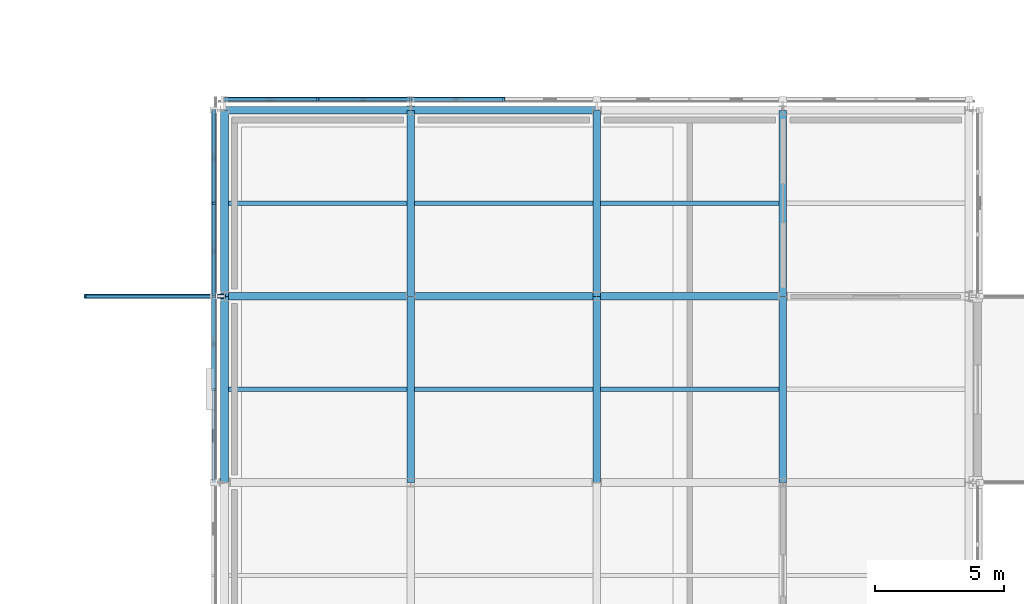
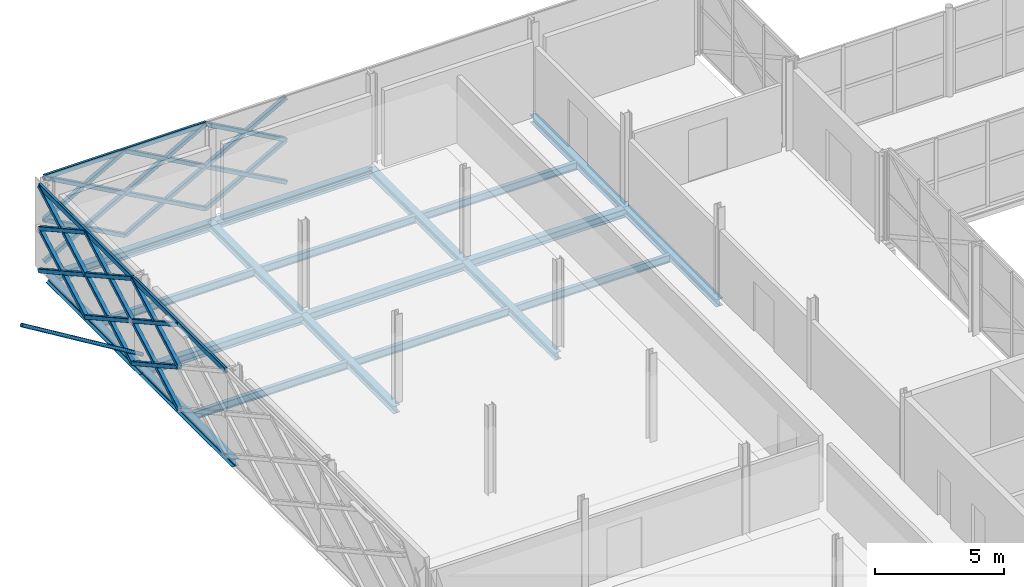
# One storey, part 54 of 146: 40 members, 19 beams.
"""IFC4 building model written with IfcOpenShell, lengths in metres."""

import ifcopenshell
import ifcopenshell.guid

model = None  # the IFC model being written
_history = None  # IfcOwnerHistory: only IFC2X3 demands one
_inside = {}  # id of a spatial element -> (the spatial element, [elements in it])
_under = {}  # id of a project, library or spatial element -> (it, [spatial elements below it])
_declared = {}  # id of a project -> (the project, [libraries it declares])
_typed = {}  # id of a type object -> (the type object, [elements of that type])
_made_of = {}  # id of a material, layer set ... -> (it, [elements and type objects made of it])


def new_model(schema):
    """Start an empty IFC model of exactly this schema.

    Asked for "IFC4X3", IfcOpenShell would pick the latest addendum, in which some entities
    have other attributes; the version numbers below select the first issue.
    IFC2X3 requires an IfcOwnerHistory on every rooted entity: one is made here for all.
    """
    global model, _history
    if schema == "IFC4X3":
        model = ifcopenshell.file(schema_version=(4, 3, 0, 0))
    else:
        model = ifcopenshell.file(schema=schema)
    _inside.clear()
    _under.clear()
    _declared.clear()
    _typed.clear()
    _made_of.clear()
    _history = None
    if model.schema == "IFC2X3":
        org = make("IfcOrganization", Name="unknown")
        user = make(
            "IfcPersonAndOrganization",
            ThePerson=make("IfcPerson", FamilyName="unknown"),
            TheOrganization=org,
        )
        app = make(
            "IfcApplication",
            ApplicationDeveloper=org,
            Version="unknown",
            ApplicationFullName="unknown",
            ApplicationIdentifier="unknown",
        )
        _history = make(
            "IfcOwnerHistory",
            OwningUser=user,
            OwningApplication=app,
            ChangeAction="ADDED",
            CreationDate=0,
        )
    return model


def make(cls, **values):
    """One entity of the class cls with the attributes given. An attribute that is None is left unset."""
    return model.create_entity(
        cls, **{name: value for name, value in values.items() if value is not None}
    )


def rooted(cls, **values):
    """An entity with a GlobalId (a new one), such as an element, a storey or a relation."""
    return make(cls, GlobalId=ifcopenshell.guid.new(), OwnerHistory=_history, **values)


def si_unit(unit_type, name, prefix=None):
    """IfcSIUnit, for example si_unit("LENGTHUNIT", "METRE", prefix="MILLI")."""
    return make("IfcSIUnit", UnitType=unit_type, Prefix=prefix, Name=name)


def assignment(units):
    """IfcUnitAssignment: the units of a project."""
    return None if units is None else make("IfcUnitAssignment", Units=units)


def point(xyz):
    """IfcCartesianPoint."""
    return None if xyz is None else make("IfcCartesianPoint", Coordinates=xyz)


def direction(xyz):
    """IfcDirection."""
    return None if xyz is None else make("IfcDirection", DirectionRatios=xyz)


def frame(location, z_axis=None, x_axis=None):
    """IfcAxis2Placement3D, a coordinate frame: its origin and axes. An axis left out is left unset."""
    return make(
        "IfcAxis2Placement3D",
        Location=point(location),
        Axis=direction(z_axis),
        RefDirection=direction(x_axis),
    )


def frame_2d(location, x_axis=None):
    """IfcAxis2Placement2D, a coordinate frame in the plane: its origin and x axis."""
    return make(
        "IfcAxis2Placement2D", Location=point(location), RefDirection=direction(x_axis)
    )


def origin():
    """The frame at (0, 0, 0) with its axes left unset."""
    return frame((0.0, 0.0, 0.0))


def origin_2d():
    """The frame at (0, 0) in the plane with its x axis left unset."""
    return frame_2d((0.0, 0.0))


def place(relative_to, where):
    """IfcLocalPlacement: puts the frame where relative to a parent placement (None: the world)."""
    return make(
        "IfcLocalPlacement", PlacementRelTo=relative_to, RelativePlacement=where
    )


def context(
    kind, dimensions, precision=None, world=None, true_north=None, identifier=None
):
    """IfcGeometricRepresentationContext, for example the 3D "Model" context."""
    return make(
        "IfcGeometricRepresentationContext",
        ContextIdentifier=identifier,
        ContextType=kind,
        CoordinateSpaceDimension=dimensions,
        Precision=precision,
        WorldCoordinateSystem=world,
        TrueNorth=true_north,
    )


def subcontext(parent, identifier, kind, view, scale=None):
    """IfcGeometricRepresentationSubContext, for example "Body" below "Model"."""
    return make(
        "IfcGeometricRepresentationSubContext",
        ContextIdentifier=identifier,
        ContextType=kind,
        ParentContext=parent,
        TargetScale=scale,
        TargetView=view,
    )


def project(units=None, contexts=None):
    """IfcProject with its units and contexts."""
    return rooted(
        "IfcProject",
        Name="project",
        RepresentationContexts=contexts,
        UnitsInContext=assignment(units),
    )


def spatial(cls, under=None, at=None, **own):
    """A site, building, storey or space (cls), placed at a placement, below another one or the project."""
    s = rooted(cls, ObjectPlacement=at, **own)
    if under is not None:
        _under.setdefault(under.id(), (under, []))[1].append(s)
    return s


def profile(cls, at=None, kind="AREA", **sizes):
    """A parametric profile (cls). Its sizes go by their IFC names, for example OverallWidth=200.0."""
    return make(cls, ProfileType=kind, Position=at, **sizes)


def hollow_rectangle(**sizes):
    """IfcRectangleHollowProfileDef."""
    return profile("IfcRectangleHollowProfileDef", **sizes)


def hollow_circle(**sizes):
    """IfcCircleHollowProfileDef."""
    return profile("IfcCircleHollowProfileDef", **sizes)


def i_section(**sizes):
    """IfcIShapeProfileDef."""
    return profile("IfcIShapeProfileDef", **sizes)


def extrude(swept, where, along, depth):
    """IfcExtrudedAreaSolid: the profile swept, set in the frame where, extruded along a direction by depth."""
    return make(
        "IfcExtrudedAreaSolid",
        SweptArea=swept,
        Position=where,
        ExtrudedDirection=direction(along),
        Depth=depth,
    )


def shape(context_of_items, identifier, shape_type, items):
    """IfcShapeRepresentation: the items that make up one representation, for example the "Body"."""
    return make(
        "IfcShapeRepresentation",
        ContextOfItems=context_of_items,
        RepresentationIdentifier=identifier,
        RepresentationType=shape_type,
        Items=items,
    )


def material(Name=None, Category=None):
    """IfcMaterial."""
    return make("IfcMaterial", Name=Name, Category=Category)


def material_profile(
    of_material, cross_section, Name=None, Category=None, Priority=None
):
    """IfcMaterialProfile: a cross section and its material."""
    return make(
        "IfcMaterialProfile",
        Name=Name,
        Material=of_material,
        Profile=cross_section,
        Priority=Priority,
        Category=Category,
    )


def profile_set(profiles, Name=None, composite=None):
    """IfcMaterialProfileSet."""
    return make(
        "IfcMaterialProfileSet",
        Name=Name,
        MaterialProfiles=profiles,
        CompositeProfile=composite,
    )


def made_of(thing, what):
    """Note that an element or type object is made of a material, layer set ...; save() writes the relation."""
    if what is not None:
        _made_of.setdefault(what.id(), (what, []))[1].append(thing)
    return thing


def type_object(cls, material=None, **own):
    """A type object (cls), such as IfcWallType, which elements share."""
    return made_of(rooted(cls, **own), material)


def element(
    cls,
    number,
    at=None,
    inside=None,
    cuts=None,
    type_object=None,
    material=None,
    context=None,
    identifier="Body",
    shape_type=None,
    held_by="IfcProductDefinitionShape",
    body=None,
    shapes=None,
    **own,
):
    """One element of the class cls, such as IfcWall. Its Tag is "e" and its number.

    at: its placement. inside: the storey or other place that contains it. cuts: it is an
    opening in that element (IfcRelVoidsElement). A single representation is given by context,
    identifier, shape_type and body (its items); several are given by shapes. held_by: the class
    of the entity that holds the representations. save() writes the other relations.
    """
    e = rooted(cls, Tag="e%d" % number, ObjectPlacement=at, **own)
    if body is not None:
        shapes = [shape(context, identifier, shape_type, body)]
    if shapes is not None:
        e.Representation = make(held_by, Representations=shapes)
    if inside is not None:
        _inside.setdefault(inside.id(), (inside, []))[1].append(e)
    if cuts is not None:
        rooted(
            "IfcRelVoidsElement", RelatingBuildingElement=cuts, RelatedOpeningElement=e
        )
    if type_object is not None:
        _typed.setdefault(type_object.id(), (type_object, []))[1].append(e)
    return made_of(e, material)


def aggregate(whole, parts):
    """IfcRelAggregates: a whole, such as a stair, and the parts it consists of."""
    return rooted("IfcRelAggregates", RelatingObject=whole, RelatedObjects=parts)


def save(model, path):
    """Write the relations noted so far, then the file.

    IfcRelAggregates (storeys below a building ...), IfcRelContainedInSpatialStructure (elements
    in a storey), IfcRelDefinesByType, IfcRelAssociatesMaterial and IfcRelDeclares: one each for
    every whole, place, type object, material and project.
    """
    for whole, parts in _under.values():
        aggregate(whole, parts)
    for where, things in _inside.values():
        rooted(
            "IfcRelContainedInSpatialStructure",
            RelatedElements=things,
            RelatingStructure=where,
        )
    for kind, things in _typed.values():
        rooted("IfcRelDefinesByType", RelatedObjects=things, RelatingType=kind)
    for what, things in _made_of.values():
        rooted("IfcRelAssociatesMaterial", RelatedObjects=things, RelatingMaterial=what)
    for by, libraries in _declared.values():
        rooted("IfcRelDeclares", RelatingContext=by, RelatedDefinitions=libraries)
    model.write(path)


model = new_model("IFC4")

# Units and contexts
model_context = context("Model", 3, precision=1e-05, world=origin(), true_north=direction((0.0, 1.0)))
body_context = subcontext(model_context, "Body", "Model", "MODEL_VIEW")
ifc_project = project(units=[si_unit("LENGTHUNIT", "METRE"), si_unit("AREAUNIT", "SQUARE_METRE"), si_unit("VOLUMEUNIT", "CUBIC_METRE"), si_unit("PLANEANGLEUNIT", "RADIAN"), si_unit("MASSUNIT", "GRAM", prefix="KILO")], contexts=[model_context])

# Site, building, storey
site_placement = place(None, origin())
site = spatial("IfcSite", under=ifc_project, at=site_placement, CompositionType="ELEMENT")
building_placement = place(site_placement, origin())
building = spatial("IfcBuilding", under=site, at=building_placement, Name="Zlatovets Crest Museum", CompositionType="ELEMENT")
storey_placement = place(building_placement, frame((0.0, 0.0, 4.5)))
storey = spatial("IfcBuildingStorey", under=building, at=storey_placement, Name="L01", CompositionType="ELEMENT", Elevation=4.5)

# Beams
ifc_material_1 = material(Name="Structural steel S355J2", Category="steel")
ifc_material_profile_1 = material_profile(ifc_material_1, i_section(OverallWidth=0.300048828125, OverallDepth=0.389892578125, WebThickness=0.010986328125, FlangeThickness=0.01904296875, FilletRadius=0.027099609375, at=origin_2d()), Name="HEA 400")
ifc_profile_set_1 = profile_set([ifc_material_profile_1], Name="Structural steel S355J2")
beam_type_1 = type_object("IfcBeamType", Name="Beam_B-02", PredefinedType="BEAM", material=ifc_profile_set_1)
beam_1_placement = place(storey_placement, frame((7.199951171875, 93.60009765625, -0.4150390625), z_axis=(1.0, 0.0, 0.0), x_axis=(0.0, 1.0, 0.0)))
element("IfcBeam", 1, at=beam_1_placement, inside=storey, type_object=beam_type_1, Name="V4 L01 Primary Girder B-02", PredefinedType="BEAM", context=body_context, shape_type="SweptSolid", body=[
    extrude(i_section(OverallWidth=0.300048828125, OverallDepth=0.389892578125, WebThickness=0.010986328125, FlangeThickness=0.01904296875, FilletRadius=0.027099609375, at=origin_2d()), origin(), (0.0, 0.0, 1.0), 7.199951171875),
])
beam_2_placement = place(storey_placement, frame((14.39990234375, 93.60009765625, -0.4150390625), z_axis=(1.0, 0.0, 0.0), x_axis=(0.0, 1.0, 0.0)))
element("IfcBeam", 2, at=beam_2_placement, inside=storey, type_object=beam_type_1, Name="V4 L01 Primary Girder B-02", PredefinedType="BEAM", context=body_context, shape_type="SweptSolid", body=[
    extrude(i_section(OverallWidth=0.300048828125, OverallDepth=0.389892578125, WebThickness=0.010986328125, FlangeThickness=0.01904296875, FilletRadius=0.027099609375, at=origin_2d()), origin(), (0.0, 0.0, 1.0), 7.2001953125),
])
for number, where, z_axis, x_axis, name in (
    (3, (21.60009765625, 93.60009765625, -0.4150390625), (1.0, 0.0, 0.0), (0.0, 1.0, 0.0), "V4 L01 Primary Girder B-02"),
    (4, (7.199951171875, 100.800048828125, -0.4150390625), (1.0, 0.0, 0.0), (0.0, 1.0, 0.0), "V4 L01 Primary Girder B-02"),
):
    element("IfcBeam", number, at=place(storey_placement, frame(where, z_axis=z_axis, x_axis=x_axis)), inside=storey, type_object=beam_type_1, Name=name, PredefinedType="BEAM", context=body_context, shape_type="SweptSolid", body=[
        extrude(i_section(OverallWidth=0.300048828125, OverallDepth=0.389892578125, WebThickness=0.010986328125, FlangeThickness=0.01904296875, FilletRadius=0.027099609375, at=origin_2d()), origin(), (0.0, 0.0, 1.0), 7.199951171875),
    ])
beam_3_placement = place(storey_placement, frame((14.39990234375, 100.800048828125, -0.4150390625), z_axis=(1.0, 0.0, 0.0), x_axis=(0.0, 1.0, 0.0)))
element("IfcBeam", 5, at=beam_3_placement, inside=storey, type_object=beam_type_1, Name="V4 L01 Primary Girder B-02", PredefinedType="BEAM", context=body_context, shape_type="SweptSolid", body=[
    extrude(i_section(OverallWidth=0.300048828125, OverallDepth=0.389892578125, WebThickness=0.010986328125, FlangeThickness=0.01904296875, FilletRadius=0.027099609375, at=origin_2d()), origin(), (0.0, 0.0, 1.0), 7.2001953125),
])
ifc_material_profile_2 = material_profile(ifc_material_1, i_section(OverallWidth=0.300048828125, OverallDepth=0.35009765625, WebThickness=0.010009765625, FlangeThickness=0.017578125, FilletRadius=0.027099609375, at=origin_2d()), Name="HEA 360")
ifc_profile_set_2 = profile_set([ifc_material_profile_2], Name="Structural steel S355J2")
beam_type_2 = type_object("IfcBeamType", Name="Beam_B-03", PredefinedType="BEAM", material=ifc_profile_set_2)
beam_4_placement = place(storey_placement, frame((7.199951171875, 86.39990234375, -0.39501953125), z_axis=(0.0, 1.0, 0.0), x_axis=(-1.0, 0.0, 0.0)))
element("IfcBeam", 6, at=beam_4_placement, inside=storey, type_object=beam_type_2, Name="V4 L01 Grid Beam B-03", PredefinedType="BEAM", context=body_context, shape_type="SweptSolid", body=[
    extrude(i_section(OverallWidth=0.300048828125, OverallDepth=0.35009765625, WebThickness=0.010009765625, FlangeThickness=0.017578125, FilletRadius=0.027099609375, at=origin_2d()), origin(), (0.0, 0.0, 1.0), 7.2001953125),
])
beam_5_placement = place(storey_placement, frame((7.199951171875, 93.60009765625, -0.39501953125), z_axis=(0.0, 1.0, 0.0), x_axis=(-1.0, 0.0, 0.0)))
element("IfcBeam", 7, at=beam_5_placement, inside=storey, type_object=beam_type_2, Name="V4 L01 Grid Beam B-03", PredefinedType="BEAM", context=body_context, shape_type="SweptSolid", body=[
    extrude(i_section(OverallWidth=0.300048828125, OverallDepth=0.35009765625, WebThickness=0.010009765625, FlangeThickness=0.017578125, FilletRadius=0.027099609375, at=origin_2d()), origin(), (0.0, 0.0, 1.0), 7.199951171875),
])
beam_6_placement = place(storey_placement, frame((14.39990234375, 86.39990234375, -0.39501953125), z_axis=(0.0, 1.0, 0.0), x_axis=(-1.0, 0.0, 0.0)))
element("IfcBeam", 8, at=beam_6_placement, inside=storey, type_object=beam_type_2, Name="V4 L01 Grid Beam B-03", PredefinedType="BEAM", context=body_context, shape_type="SweptSolid", body=[
    extrude(i_section(OverallWidth=0.300048828125, OverallDepth=0.35009765625, WebThickness=0.010009765625, FlangeThickness=0.017578125, FilletRadius=0.027099609375, at=origin_2d()), origin(), (0.0, 0.0, 1.0), 7.2001953125),
])
beam_7_placement = place(storey_placement, frame((14.39990234375, 93.60009765625, -0.39501953125), z_axis=(0.0, 1.0, 0.0), x_axis=(-1.0, 0.0, 0.0)))
element("IfcBeam", 9, at=beam_7_placement, inside=storey, type_object=beam_type_2, Name="V4 L01 Grid Beam B-03", PredefinedType="BEAM", context=body_context, shape_type="SweptSolid", body=[
    extrude(i_section(OverallWidth=0.300048828125, OverallDepth=0.35009765625, WebThickness=0.010009765625, FlangeThickness=0.017578125, FilletRadius=0.027099609375, at=origin_2d()), origin(), (0.0, 0.0, 1.0), 7.199951171875),
])
beam_8_placement = place(storey_placement, frame((21.60009765625, 86.39990234375, -0.39501953125), z_axis=(0.0, 1.0, 0.0), x_axis=(-1.0, 0.0, 0.0)))
element("IfcBeam", 10, at=beam_8_placement, inside=storey, type_object=beam_type_2, Name="V4 L01 Grid Beam B-03", PredefinedType="BEAM", context=body_context, shape_type="SweptSolid", body=[
    extrude(i_section(OverallWidth=0.300048828125, OverallDepth=0.35009765625, WebThickness=0.010009765625, FlangeThickness=0.017578125, FilletRadius=0.027099609375, at=origin_2d()), origin(), (0.0, 0.0, 1.0), 7.2001953125),
])
beam_9_placement = place(storey_placement, frame((21.60009765625, 93.60009765625, -0.39501953125), z_axis=(0.0, 1.0, 0.0), x_axis=(-1.0, 0.0, 0.0)))
element("IfcBeam", 11, at=beam_9_placement, inside=storey, type_object=beam_type_2, Name="V4 L01 Grid Beam B-03", PredefinedType="BEAM", context=body_context, shape_type="SweptSolid", body=[
    extrude(i_section(OverallWidth=0.300048828125, OverallDepth=0.35009765625, WebThickness=0.010009765625, FlangeThickness=0.017578125, FilletRadius=0.027099609375, at=origin_2d()), origin(), (0.0, 0.0, 1.0), 7.199951171875),
])
beam_10_placement = place(storey_placement, frame((28.800048828125, 86.39990234375, -0.39501953125), z_axis=(0.0, 1.0, 0.0), x_axis=(-1.0, 0.0, 0.0)))
element("IfcBeam", 12, at=beam_10_placement, inside=storey, type_object=beam_type_2, Name="V4 L01 Grid Beam B-03", PredefinedType="BEAM", context=body_context, shape_type="SweptSolid", body=[
    extrude(i_section(OverallWidth=0.300048828125, OverallDepth=0.35009765625, WebThickness=0.010009765625, FlangeThickness=0.017578125, FilletRadius=0.027099609375, at=origin_2d()), origin(), (0.0, 0.0, 1.0), 7.2001953125),
])
beam_11_placement = place(storey_placement, frame((28.800048828125, 93.60009765625, -0.39501953125), z_axis=(0.0, 1.0, 0.0), x_axis=(-1.0, 0.0, 0.0)))
element("IfcBeam", 13, at=beam_11_placement, inside=storey, type_object=beam_type_2, Name="V4 L01 Grid Beam B-03", PredefinedType="BEAM", context=body_context, shape_type="SweptSolid", body=[
    extrude(i_section(OverallWidth=0.300048828125, OverallDepth=0.35009765625, WebThickness=0.010009765625, FlangeThickness=0.017578125, FilletRadius=0.027099609375, at=origin_2d()), origin(), (0.0, 0.0, 1.0), 7.199951171875),
])
ifc_material_profile_3 = material_profile(ifc_material_1, i_section(OverallWidth=0.169921875, OverallDepth=0.360107421875, WebThickness=0.008056640625, FlangeThickness=0.0126953125, FilletRadius=0.01806640625, at=origin_2d()), Name="IPE 360")
ifc_profile_set_3 = profile_set([ifc_material_profile_3], Name="Structural steel S355J2")
beam_type_3 = type_object("IfcBeamType", Name="Beam_J-01", PredefinedType="JOIST", material=ifc_profile_set_3)
for number, where, z_axis, x_axis, name in (
    (14, (7.35009765625, 90.0, -0.39990234375), (1.0, 0.0, 0.0), (0.0, 1.0, 0.0), "V4 L01 Composite Joist J-01"),
    (15, (7.35009765625, 97.199951171875, -0.39990234375), (1.0, 0.0, 0.0), (0.0, 1.0, 0.0), "V4 L01 Composite Joist J-01"),
    (16, (14.550048828125, 90.0, -0.39990234375), (1.0, 0.0, 0.0), (0.0, 1.0, 0.0), "V4 L01 Composite Joist J-01"),
    (17, (14.550048828125, 97.199951171875, -0.39990234375), (1.0, 0.0, 0.0), (0.0, 1.0, 0.0), "V4 L01 Composite Joist J-01"),
    (18, (21.75, 90.0, -0.39990234375), (1.0, 0.0, 0.0), (0.0, 1.0, 0.0), "V4 L01 Composite Joist J-01"),
    (19, (21.75, 97.199951171875, -0.39990234375), (1.0, 0.0, 0.0), (0.0, 1.0, 0.0), "V4 L01 Composite Joist J-01"),
):
    element("IfcBeam", number, at=place(storey_placement, frame(where, z_axis=z_axis, x_axis=x_axis)), inside=storey, type_object=beam_type_3, Name=name, PredefinedType="JOIST", context=body_context, shape_type="SweptSolid", body=[
        extrude(i_section(OverallWidth=0.169921875, OverallDepth=0.360107421875, WebThickness=0.008056640625, FlangeThickness=0.0126953125, FilletRadius=0.01806640625, at=origin_2d()), origin(), (0.0, 0.0, 1.0), 6.89990234375),
    ])

# Members
ifc_material_2 = material(Name="Weathering bronze-steel S355J2W", Category="steel")
ifc_material_profile_4 = material_profile(ifc_material_2, hollow_rectangle(XDim=0.179931640625, YDim=0.179931640625, WallThickness=0.010009765625, InnerFilletRadius=0.010009765625, OuterFilletRadius=0.02001953125, at=origin_2d()), Name="SHS 180x180x10.0")
ifc_profile_set_4 = profile_set([ifc_material_profile_4], Name="Weathering bronze-steel S355J2W")
member_type_1 = type_object("IfcMemberType", Name="Lattice_XL-01", PredefinedType="BRACE", material=ifc_profile_set_4)
member_1_placement = place(storey_placement, frame((18.0, 101.219970703125, 0.10009765625), z_axis=(-0.874162868644, 0.0, 0.485632864501), x_axis=(0.0, -1.0, 0.0)))
element("IfcMember", 20, at=member_1_placement, inside=storey, type_object=member_type_1, Name="Continuous Bronze Lattice Diagonal", PredefinedType="BRACE", context=body_context, shape_type="SweptSolid", body=[
    extrude(hollow_rectangle(XDim=0.179931640625, YDim=0.179931640625, WallThickness=0.010009765625, InnerFilletRadius=0.010009765625, OuterFilletRadius=0.02001953125, at=origin_2d()), origin(), (0.0, 0.0, 1.0), 4.118408203125),
])
member_2_placement = place(storey_placement, frame((18.0, 101.219970703125, 2.10009765625), z_axis=(-0.874116234569, 0.0, -0.48571679862), x_axis=(0.0, -1.0, 0.0)))
element("IfcMember", 21, at=member_2_placement, inside=storey, type_object=member_type_1, Name="Split Crossing Bronze Lattice Diagonal Upper", PredefinedType="BRACE", context=body_context, shape_type="SweptSolid", body=[
    extrude(hollow_rectangle(XDim=0.179931640625, YDim=0.179931640625, WallThickness=0.010009765625, InnerFilletRadius=0.010009765625, OuterFilletRadius=0.02001953125, at=origin_2d()), origin(), (0.0, 0.0, 1.0), 1.96435546875),
])
member_3_placement = place(storey_placement, frame((16.116943359375, 101.219970703125, 1.053955078125), z_axis=(-0.874169001841, 0.0, -0.485621824284), x_axis=(0.0, -1.0, 0.0)))
element("IfcMember", 22, at=member_3_placement, inside=storey, type_object=member_type_1, Name="Split Crossing Bronze Lattice Diagonal Lower", PredefinedType="BRACE", context=body_context, shape_type="SweptSolid", body=[
    extrude(hollow_rectangle(XDim=0.179931640625, YDim=0.179931640625, WallThickness=0.010009765625, InnerFilletRadius=0.010009765625, OuterFilletRadius=0.02001953125, at=origin_2d()), origin(), (0.0, 0.0, 1.0), 1.964111328125),
])
member_4_placement = place(storey_placement, frame((18.0, 101.219970703125, 2.10009765625), z_axis=(-0.874162868644, 0.0, 0.485632864501), x_axis=(0.0, -1.0, 0.0)))
element("IfcMember", 23, at=member_4_placement, inside=storey, type_object=member_type_1, Name="Continuous Bronze Lattice Diagonal", PredefinedType="BRACE", context=body_context, shape_type="SweptSolid", body=[
    extrude(hollow_rectangle(XDim=0.179931640625, YDim=0.179931640625, WallThickness=0.010009765625, InnerFilletRadius=0.010009765625, OuterFilletRadius=0.02001953125, at=origin_2d()), origin(), (0.0, 0.0, 1.0), 4.118408203125),
])
member_5_placement = place(storey_placement, frame((18.0, 101.219970703125, 4.10009765625), z_axis=(-0.874116234569, 0.0, -0.48571679862), x_axis=(0.0, -1.0, 0.0)))
element("IfcMember", 24, at=member_5_placement, inside=storey, type_object=member_type_1, Name="Split Crossing Bronze Lattice Diagonal Upper", PredefinedType="BRACE", context=body_context, shape_type="SweptSolid", body=[
    extrude(hollow_rectangle(XDim=0.179931640625, YDim=0.179931640625, WallThickness=0.010009765625, InnerFilletRadius=0.010009765625, OuterFilletRadius=0.02001953125, at=origin_2d()), origin(), (0.0, 0.0, 1.0), 1.96435546875),
])
member_6_placement = place(storey_placement, frame((16.116943359375, 101.219970703125, 3.053955078125), z_axis=(-0.874169001841, 0.0, -0.485621824284), x_axis=(0.0, -1.0, 0.0)))
element("IfcMember", 25, at=member_6_placement, inside=storey, type_object=member_type_1, Name="Split Crossing Bronze Lattice Diagonal Lower", PredefinedType="BRACE", context=body_context, shape_type="SweptSolid", body=[
    extrude(hollow_rectangle(XDim=0.179931640625, YDim=0.179931640625, WallThickness=0.010009765625, InnerFilletRadius=0.010009765625, OuterFilletRadius=0.02001953125, at=origin_2d()), origin(), (0.0, 0.0, 1.0), 1.964111328125),
])
member_7_placement = place(storey_placement, frame((14.39990234375, 101.219970703125, 0.10009765625), z_axis=(-0.874148886685, 0.0, 0.485658031857), x_axis=(0.0, -1.0, 0.0)))
element("IfcMember", 26, at=member_7_placement, inside=storey, type_object=member_type_1, Name="Continuous Bronze Lattice Diagonal", PredefinedType="BRACE", context=body_context, shape_type="SweptSolid", body=[
    extrude(hollow_rectangle(XDim=0.179931640625, YDim=0.179931640625, WallThickness=0.010009765625, InnerFilletRadius=0.010009765625, OuterFilletRadius=0.02001953125, at=origin_2d()), origin(), (0.0, 0.0, 1.0), 4.1181640625),
])
for number, where, z_axis, x_axis, name in (
    (27, (14.39990234375, 101.219970703125, 2.10009765625), (-0.874086907708, 0.0, -0.485769572713), (0.0, -1.0, 0.0), "Split Crossing Bronze Lattice Diagonal Upper"),
    (28, (12.51708984375, 101.219970703125, 1.053955078125), (-0.874169001841, 0.0, -0.485621824284), (0.0, -1.0, 0.0), "Split Crossing Bronze Lattice Diagonal Lower"),
):
    element("IfcMember", number, at=place(storey_placement, frame(where, z_axis=z_axis, x_axis=x_axis)), inside=storey, type_object=member_type_1, Name=name, PredefinedType="BRACE", context=body_context, shape_type="SweptSolid", body=[
        extrude(hollow_rectangle(XDim=0.179931640625, YDim=0.179931640625, WallThickness=0.010009765625, InnerFilletRadius=0.010009765625, OuterFilletRadius=0.02001953125, at=origin_2d()), origin(), (0.0, 0.0, 1.0), 1.964111328125),
    ])
member_8_placement = place(storey_placement, frame((10.800048828125, 101.219970703125, 0.10009765625), z_axis=(-0.874162868644, 0.0, 0.485632864501), x_axis=(0.0, -1.0, 0.0)))
element("IfcMember", 29, at=member_8_placement, inside=storey, type_object=member_type_1, Name="Continuous Bronze Lattice Diagonal", PredefinedType="BRACE", context=body_context, shape_type="SweptSolid", body=[
    extrude(hollow_rectangle(XDim=0.179931640625, YDim=0.179931640625, WallThickness=0.010009765625, InnerFilletRadius=0.010009765625, OuterFilletRadius=0.02001953125, at=origin_2d()), origin(), (0.0, 0.0, 1.0), 4.118408203125),
])
member_9_placement = place(storey_placement, frame((10.800048828125, 101.219970703125, 2.10009765625), z_axis=(-0.874116234569, 0.0, -0.48571679862), x_axis=(0.0, -1.0, 0.0)))
element("IfcMember", 30, at=member_9_placement, inside=storey, type_object=member_type_1, Name="Split Crossing Bronze Lattice Diagonal Upper", PredefinedType="BRACE", context=body_context, shape_type="SweptSolid", body=[
    extrude(hollow_rectangle(XDim=0.179931640625, YDim=0.179931640625, WallThickness=0.010009765625, InnerFilletRadius=0.010009765625, OuterFilletRadius=0.02001953125, at=origin_2d()), origin(), (0.0, 0.0, 1.0), 1.96435546875),
])
member_10_placement = place(storey_placement, frame((8.9169921875, 101.219970703125, 1.053955078125), z_axis=(-0.874169001841, 0.0, -0.485621824284), x_axis=(0.0, -1.0, 0.0)))
element("IfcMember", 31, at=member_10_placement, inside=storey, type_object=member_type_1, Name="Split Crossing Bronze Lattice Diagonal Lower", PredefinedType="BRACE", context=body_context, shape_type="SweptSolid", body=[
    extrude(hollow_rectangle(XDim=0.179931640625, YDim=0.179931640625, WallThickness=0.010009765625, InnerFilletRadius=0.010009765625, OuterFilletRadius=0.02001953125, at=origin_2d()), origin(), (0.0, 0.0, 1.0), 1.964111328125),
])
member_11_placement = place(storey_placement, frame((14.39990234375, 101.219970703125, 2.10009765625), z_axis=(-0.874148886685, 0.0, 0.485658031857), x_axis=(0.0, -1.0, 0.0)))
element("IfcMember", 32, at=member_11_placement, inside=storey, type_object=member_type_1, Name="Continuous Bronze Lattice Diagonal", PredefinedType="BRACE", context=body_context, shape_type="SweptSolid", body=[
    extrude(hollow_rectangle(XDim=0.179931640625, YDim=0.179931640625, WallThickness=0.010009765625, InnerFilletRadius=0.010009765625, OuterFilletRadius=0.02001953125, at=origin_2d()), origin(), (0.0, 0.0, 1.0), 4.1181640625),
])
for number, where, z_axis, x_axis, name in (
    (33, (14.39990234375, 101.219970703125, 4.10009765625), (-0.874086907708, 0.0, -0.485769572713), (0.0, -1.0, 0.0), "Split Crossing Bronze Lattice Diagonal Upper"),
    (34, (12.51708984375, 101.219970703125, 3.053955078125), (-0.874169001841, 0.0, -0.485621824284), (0.0, -1.0, 0.0), "Split Crossing Bronze Lattice Diagonal Lower"),
):
    element("IfcMember", number, at=place(storey_placement, frame(where, z_axis=z_axis, x_axis=x_axis)), inside=storey, type_object=member_type_1, Name=name, PredefinedType="BRACE", context=body_context, shape_type="SweptSolid", body=[
        extrude(hollow_rectangle(XDim=0.179931640625, YDim=0.179931640625, WallThickness=0.010009765625, InnerFilletRadius=0.010009765625, OuterFilletRadius=0.02001953125, at=origin_2d()), origin(), (0.0, 0.0, 1.0), 1.964111328125),
    ])
member_12_placement = place(storey_placement, frame((10.800048828125, 101.219970703125, 2.10009765625), z_axis=(-0.874162868644, 0.0, 0.485632864501), x_axis=(0.0, -1.0, 0.0)))
element("IfcMember", 35, at=member_12_placement, inside=storey, type_object=member_type_1, Name="Continuous Bronze Lattice Diagonal", PredefinedType="BRACE", context=body_context, shape_type="SweptSolid", body=[
    extrude(hollow_rectangle(XDim=0.179931640625, YDim=0.179931640625, WallThickness=0.010009765625, InnerFilletRadius=0.010009765625, OuterFilletRadius=0.02001953125, at=origin_2d()), origin(), (0.0, 0.0, 1.0), 4.118408203125),
])
member_13_placement = place(storey_placement, frame((10.800048828125, 101.219970703125, 4.10009765625), z_axis=(-0.874116234569, 0.0, -0.48571679862), x_axis=(0.0, -1.0, 0.0)))
element("IfcMember", 36, at=member_13_placement, inside=storey, type_object=member_type_1, Name="Split Crossing Bronze Lattice Diagonal Upper", PredefinedType="BRACE", context=body_context, shape_type="SweptSolid", body=[
    extrude(hollow_rectangle(XDim=0.179931640625, YDim=0.179931640625, WallThickness=0.010009765625, InnerFilletRadius=0.010009765625, OuterFilletRadius=0.02001953125, at=origin_2d()), origin(), (0.0, 0.0, 1.0), 1.96435546875),
])
member_14_placement = place(storey_placement, frame((8.9169921875, 101.219970703125, 3.053955078125), z_axis=(-0.874169001841, 0.0, -0.485621824284), x_axis=(0.0, -1.0, 0.0)))
element("IfcMember", 37, at=member_14_placement, inside=storey, type_object=member_type_1, Name="Split Crossing Bronze Lattice Diagonal Lower", PredefinedType="BRACE", context=body_context, shape_type="SweptSolid", body=[
    extrude(hollow_rectangle(XDim=0.179931640625, YDim=0.179931640625, WallThickness=0.010009765625, InnerFilletRadius=0.010009765625, OuterFilletRadius=0.02001953125, at=origin_2d()), origin(), (0.0, 0.0, 1.0), 1.964111328125),
])
member_15_placement = place(storey_placement, frame((6.780029296875, 100.800048828125, 0.10009765625), z_axis=(0.0, -0.874162868644, 0.485632864501), x_axis=(1.0, 0.0, 0.0)))
element("IfcMember", 38, at=member_15_placement, inside=storey, type_object=member_type_1, Name="Continuous Bronze Lattice Diagonal", PredefinedType="BRACE", context=body_context, shape_type="SweptSolid", body=[
    extrude(hollow_rectangle(XDim=0.179931640625, YDim=0.179931640625, WallThickness=0.010009765625, InnerFilletRadius=0.010009765625, OuterFilletRadius=0.02001953125, at=origin_2d()), origin(), (0.0, 0.0, 1.0), 4.118408203125),
])
member_16_placement = place(storey_placement, frame((6.780029296875, 100.800048828125, 2.10009765625), z_axis=(0.0, -0.874116234569, -0.48571679862), x_axis=(1.0, 0.0, 0.0)))
element("IfcMember", 39, at=member_16_placement, inside=storey, type_object=member_type_1, Name="Split Crossing Bronze Lattice Diagonal Upper", PredefinedType="BRACE", context=body_context, shape_type="SweptSolid", body=[
    extrude(hollow_rectangle(XDim=0.179931640625, YDim=0.179931640625, WallThickness=0.010009765625, InnerFilletRadius=0.010009765625, OuterFilletRadius=0.02001953125, at=origin_2d()), origin(), (0.0, 0.0, 1.0), 1.96435546875),
])
member_17_placement = place(storey_placement, frame((6.780029296875, 98.9169921875, 1.053955078125), z_axis=(0.0, -0.874169001841, -0.485621824284), x_axis=(1.0, 0.0, 0.0)))
element("IfcMember", 40, at=member_17_placement, inside=storey, type_object=member_type_1, Name="Split Crossing Bronze Lattice Diagonal Lower", PredefinedType="BRACE", context=body_context, shape_type="SweptSolid", body=[
    extrude(hollow_rectangle(XDim=0.179931640625, YDim=0.179931640625, WallThickness=0.010009765625, InnerFilletRadius=0.010009765625, OuterFilletRadius=0.02001953125, at=origin_2d()), origin(), (0.0, 0.0, 1.0), 1.964111328125),
])
member_18_placement = place(storey_placement, frame((6.780029296875, 97.199951171875, 0.10009765625), z_axis=(0.0, -0.874148886685, 0.485658031857), x_axis=(1.0, 0.0, 0.0)))
element("IfcMember", 41, at=member_18_placement, inside=storey, type_object=member_type_1, Name="Continuous Bronze Lattice Diagonal", PredefinedType="BRACE", context=body_context, shape_type="SweptSolid", body=[
    extrude(hollow_rectangle(XDim=0.179931640625, YDim=0.179931640625, WallThickness=0.010009765625, InnerFilletRadius=0.010009765625, OuterFilletRadius=0.02001953125, at=origin_2d()), origin(), (0.0, 0.0, 1.0), 4.1181640625),
])
member_19_placement = place(storey_placement, frame((6.780029296875, 97.199951171875, 2.10009765625), z_axis=(0.0, -0.874116234569, -0.48571679862), x_axis=(1.0, 0.0, 0.0)))
element("IfcMember", 42, at=member_19_placement, inside=storey, type_object=member_type_1, Name="Split Crossing Bronze Lattice Diagonal Upper", PredefinedType="BRACE", context=body_context, shape_type="SweptSolid", body=[
    extrude(hollow_rectangle(XDim=0.179931640625, YDim=0.179931640625, WallThickness=0.010009765625, InnerFilletRadius=0.010009765625, OuterFilletRadius=0.02001953125, at=origin_2d()), origin(), (0.0, 0.0, 1.0), 1.96435546875),
])
member_20_placement = place(storey_placement, frame((6.780029296875, 95.31689453125, 1.053955078125), z_axis=(0.0, -0.874139684676, -0.48567459443), x_axis=(1.0, 0.0, 0.0)))
element("IfcMember", 43, at=member_20_placement, inside=storey, type_object=member_type_1, Name="Split Crossing Bronze Lattice Diagonal Lower", PredefinedType="BRACE", context=body_context, shape_type="SweptSolid", body=[
    extrude(hollow_rectangle(XDim=0.179931640625, YDim=0.179931640625, WallThickness=0.010009765625, InnerFilletRadius=0.010009765625, OuterFilletRadius=0.02001953125, at=origin_2d()), origin(), (0.0, 0.0, 1.0), 1.9638671875),
])
member_21_placement = place(storey_placement, frame((6.780029296875, 100.800048828125, 2.10009765625), z_axis=(0.0, -0.874162868644, 0.485632864501), x_axis=(1.0, 0.0, 0.0)))
element("IfcMember", 44, at=member_21_placement, inside=storey, type_object=member_type_1, Name="Continuous Bronze Lattice Diagonal", PredefinedType="BRACE", context=body_context, shape_type="SweptSolid", body=[
    extrude(hollow_rectangle(XDim=0.179931640625, YDim=0.179931640625, WallThickness=0.010009765625, InnerFilletRadius=0.010009765625, OuterFilletRadius=0.02001953125, at=origin_2d()), origin(), (0.0, 0.0, 1.0), 4.118408203125),
])
member_22_placement = place(storey_placement, frame((6.780029296875, 100.800048828125, 4.10009765625), z_axis=(0.0, -0.874116234569, -0.48571679862), x_axis=(1.0, 0.0, 0.0)))
element("IfcMember", 45, at=member_22_placement, inside=storey, type_object=member_type_1, Name="Split Crossing Bronze Lattice Diagonal Upper", PredefinedType="BRACE", context=body_context, shape_type="SweptSolid", body=[
    extrude(hollow_rectangle(XDim=0.179931640625, YDim=0.179931640625, WallThickness=0.010009765625, InnerFilletRadius=0.010009765625, OuterFilletRadius=0.02001953125, at=origin_2d()), origin(), (0.0, 0.0, 1.0), 1.96435546875),
])
member_23_placement = place(storey_placement, frame((6.780029296875, 98.9169921875, 3.053955078125), z_axis=(0.0, -0.874169001841, -0.485621824284), x_axis=(1.0, 0.0, 0.0)))
element("IfcMember", 46, at=member_23_placement, inside=storey, type_object=member_type_1, Name="Split Crossing Bronze Lattice Diagonal Lower", PredefinedType="BRACE", context=body_context, shape_type="SweptSolid", body=[
    extrude(hollow_rectangle(XDim=0.179931640625, YDim=0.179931640625, WallThickness=0.010009765625, InnerFilletRadius=0.010009765625, OuterFilletRadius=0.02001953125, at=origin_2d()), origin(), (0.0, 0.0, 1.0), 1.964111328125),
])
member_24_placement = place(storey_placement, frame((6.780029296875, 97.199951171875, 2.10009765625), z_axis=(0.0, -0.874148886685, 0.485658031857), x_axis=(1.0, 0.0, 0.0)))
element("IfcMember", 47, at=member_24_placement, inside=storey, type_object=member_type_1, Name="Continuous Bronze Lattice Diagonal", PredefinedType="BRACE", context=body_context, shape_type="SweptSolid", body=[
    extrude(hollow_rectangle(XDim=0.179931640625, YDim=0.179931640625, WallThickness=0.010009765625, InnerFilletRadius=0.010009765625, OuterFilletRadius=0.02001953125, at=origin_2d()), origin(), (0.0, 0.0, 1.0), 4.1181640625),
])
member_25_placement = place(storey_placement, frame((6.780029296875, 97.199951171875, 4.10009765625), z_axis=(0.0, -0.874116234569, -0.48571679862), x_axis=(1.0, 0.0, 0.0)))
element("IfcMember", 48, at=member_25_placement, inside=storey, type_object=member_type_1, Name="Split Crossing Bronze Lattice Diagonal Upper", PredefinedType="BRACE", context=body_context, shape_type="SweptSolid", body=[
    extrude(hollow_rectangle(XDim=0.179931640625, YDim=0.179931640625, WallThickness=0.010009765625, InnerFilletRadius=0.010009765625, OuterFilletRadius=0.02001953125, at=origin_2d()), origin(), (0.0, 0.0, 1.0), 1.96435546875),
])
member_26_placement = place(storey_placement, frame((6.780029296875, 95.31689453125, 3.053955078125), z_axis=(0.0, -0.874139684676, -0.48567459443), x_axis=(1.0, 0.0, 0.0)))
element("IfcMember", 49, at=member_26_placement, inside=storey, type_object=member_type_1, Name="Split Crossing Bronze Lattice Diagonal Lower", PredefinedType="BRACE", context=body_context, shape_type="SweptSolid", body=[
    extrude(hollow_rectangle(XDim=0.179931640625, YDim=0.179931640625, WallThickness=0.010009765625, InnerFilletRadius=0.010009765625, OuterFilletRadius=0.02001953125, at=origin_2d()), origin(), (0.0, 0.0, 1.0), 1.9638671875),
])
member_27_placement = place(storey_placement, frame((6.780029296875, 93.60009765625, 0.10009765625), z_axis=(0.0, -0.874162868644, 0.485632864501), x_axis=(1.0, 0.0, 0.0)))
element("IfcMember", 50, at=member_27_placement, inside=storey, type_object=member_type_1, Name="Continuous Bronze Lattice Diagonal", PredefinedType="BRACE", context=body_context, shape_type="SweptSolid", body=[
    extrude(hollow_rectangle(XDim=0.179931640625, YDim=0.179931640625, WallThickness=0.010009765625, InnerFilletRadius=0.010009765625, OuterFilletRadius=0.02001953125, at=origin_2d()), origin(), (0.0, 0.0, 1.0), 4.118408203125),
])
member_28_placement = place(storey_placement, frame((6.780029296875, 93.60009765625, 2.10009765625), z_axis=(0.0, -0.874116234569, -0.48571679862), x_axis=(1.0, 0.0, 0.0)))
element("IfcMember", 51, at=member_28_placement, inside=storey, type_object=member_type_1, Name="Split Crossing Bronze Lattice Diagonal Upper", PredefinedType="BRACE", context=body_context, shape_type="SweptSolid", body=[
    extrude(hollow_rectangle(XDim=0.179931640625, YDim=0.179931640625, WallThickness=0.010009765625, InnerFilletRadius=0.010009765625, OuterFilletRadius=0.02001953125, at=origin_2d()), origin(), (0.0, 0.0, 1.0), 1.96435546875),
])
member_29_placement = place(storey_placement, frame((6.780029296875, 91.717041015625, 1.053955078125), z_axis=(0.0, -0.874169001841, -0.485621824284), x_axis=(1.0, 0.0, 0.0)))
element("IfcMember", 52, at=member_29_placement, inside=storey, type_object=member_type_1, Name="Split Crossing Bronze Lattice Diagonal Lower", PredefinedType="BRACE", context=body_context, shape_type="SweptSolid", body=[
    extrude(hollow_rectangle(XDim=0.179931640625, YDim=0.179931640625, WallThickness=0.010009765625, InnerFilletRadius=0.010009765625, OuterFilletRadius=0.02001953125, at=origin_2d()), origin(), (0.0, 0.0, 1.0), 1.964111328125),
])
member_30_placement = place(storey_placement, frame((6.780029296875, 93.60009765625, 2.10009765625), z_axis=(0.0, -0.874162868644, 0.485632864501), x_axis=(1.0, 0.0, 0.0)))
element("IfcMember", 53, at=member_30_placement, inside=storey, type_object=member_type_1, Name="Continuous Bronze Lattice Diagonal", PredefinedType="BRACE", context=body_context, shape_type="SweptSolid", body=[
    extrude(hollow_rectangle(XDim=0.179931640625, YDim=0.179931640625, WallThickness=0.010009765625, InnerFilletRadius=0.010009765625, OuterFilletRadius=0.02001953125, at=origin_2d()), origin(), (0.0, 0.0, 1.0), 4.118408203125),
])
member_31_placement = place(storey_placement, frame((6.780029296875, 93.60009765625, 4.10009765625), z_axis=(0.0, -0.874116234569, -0.48571679862), x_axis=(1.0, 0.0, 0.0)))
element("IfcMember", 54, at=member_31_placement, inside=storey, type_object=member_type_1, Name="Split Crossing Bronze Lattice Diagonal Upper", PredefinedType="BRACE", context=body_context, shape_type="SweptSolid", body=[
    extrude(hollow_rectangle(XDim=0.179931640625, YDim=0.179931640625, WallThickness=0.010009765625, InnerFilletRadius=0.010009765625, OuterFilletRadius=0.02001953125, at=origin_2d()), origin(), (0.0, 0.0, 1.0), 1.96435546875),
])
member_32_placement = place(storey_placement, frame((6.780029296875, 91.717041015625, 3.053955078125), z_axis=(0.0, -0.874169001841, -0.485621824284), x_axis=(1.0, 0.0, 0.0)))
element("IfcMember", 55, at=member_32_placement, inside=storey, type_object=member_type_1, Name="Split Crossing Bronze Lattice Diagonal Lower", PredefinedType="BRACE", context=body_context, shape_type="SweptSolid", body=[
    extrude(hollow_rectangle(XDim=0.179931640625, YDim=0.179931640625, WallThickness=0.010009765625, InnerFilletRadius=0.010009765625, OuterFilletRadius=0.02001953125, at=origin_2d()), origin(), (0.0, 0.0, 1.0), 1.964111328125),
])
ifc_material_profile_5 = material_profile(ifc_material_2, hollow_rectangle(XDim=0.1201171875, YDim=0.239990234375, WallThickness=0.010009765625, InnerFilletRadius=0.010009765625, OuterFilletRadius=0.02001953125, at=origin_2d()), Name="RHS 120x240x10.0")
ifc_profile_set_5 = profile_set([ifc_material_profile_5], Name="Weathering bronze-steel S355J2W")
member_type_2 = type_object("IfcMemberType", Name="Lattice_XL-04", PredefinedType="CHORD", material=ifc_profile_set_5)
for number, where, z_axis, x_axis, name in (
    (56, (14.39990234375, 101.219970703125, 4.10009765625), (-1.0, 0.0, 0.0), (0.0, -1.0, 0.0), "Art Nouveau Woven Cage Collector Ring Chord"),
    (57, (6.780029296875, 100.800048828125, 4.10009765625), (0.0, -1.0, 0.0), (1.0, 0.0, 0.0), "Art Nouveau Woven Cage Collector Ring Chord"),
):
    element("IfcMember", number, at=place(storey_placement, frame(where, z_axis=z_axis, x_axis=x_axis)), inside=storey, type_object=member_type_2, Name=name, PredefinedType="CHORD", context=body_context, shape_type="SweptSolid", body=[
        extrude(hollow_rectangle(XDim=0.1201171875, YDim=0.239990234375, WallThickness=0.010009765625, InnerFilletRadius=0.010009765625, OuterFilletRadius=0.02001953125, at=origin_2d()), origin(), (0.0, 0.0, 1.0), 7.199951171875),
    ])
member_33_placement = place(storey_placement, frame((6.780029296875, 93.60009765625, 4.10009765625), z_axis=(0.0, -1.0, 0.0), x_axis=(1.0, 0.0, 0.0)))
element("IfcMember", 58, at=member_33_placement, inside=storey, type_object=member_type_2, Name="Art Nouveau Woven Cage Collector Ring Chord", PredefinedType="CHORD", context=body_context, shape_type="SweptSolid", body=[
    extrude(hollow_rectangle(XDim=0.1201171875, YDim=0.239990234375, WallThickness=0.010009765625, InnerFilletRadius=0.010009765625, OuterFilletRadius=0.02001953125, at=origin_2d()), origin(), (0.0, 0.0, 1.0), 7.2001953125),
])
ifc_material_profile_6 = material_profile(ifc_material_1, hollow_circle(Radius=0.084228515625, WallThickness=0.008056640625, at=origin_2d()), Name="CHS 168.3x8.0")
ifc_profile_set_6 = profile_set([ifc_material_profile_6], Name="Structural steel S355J2")
member_type_3 = type_object("IfcMemberType", Name="Member_TM-06", PredefinedType="PURLIN", material=ifc_profile_set_6)
member_34_placement = place(storey_placement, frame((7.199951171875, 93.60009765625, 0.35009765625), z_axis=(-0.854698116657, 0.0, 0.519125350356), x_axis=(0.0, -1.0, 0.0)))
element("IfcMember", 59, at=member_34_placement, inside=storey, type_object=member_type_3, Name="Cantilever Gallery Sculptural Raking Strut 3", PredefinedType="PURLIN", context=body_context, shape_type="SweptSolid", body=[
    extrude(hollow_circle(Radius=0.084228515625, WallThickness=0.008056640625, at=origin_2d()), origin(), (0.0, 0.0, 1.0), 6.31787109375),
])

save(model, "model.ifc")
